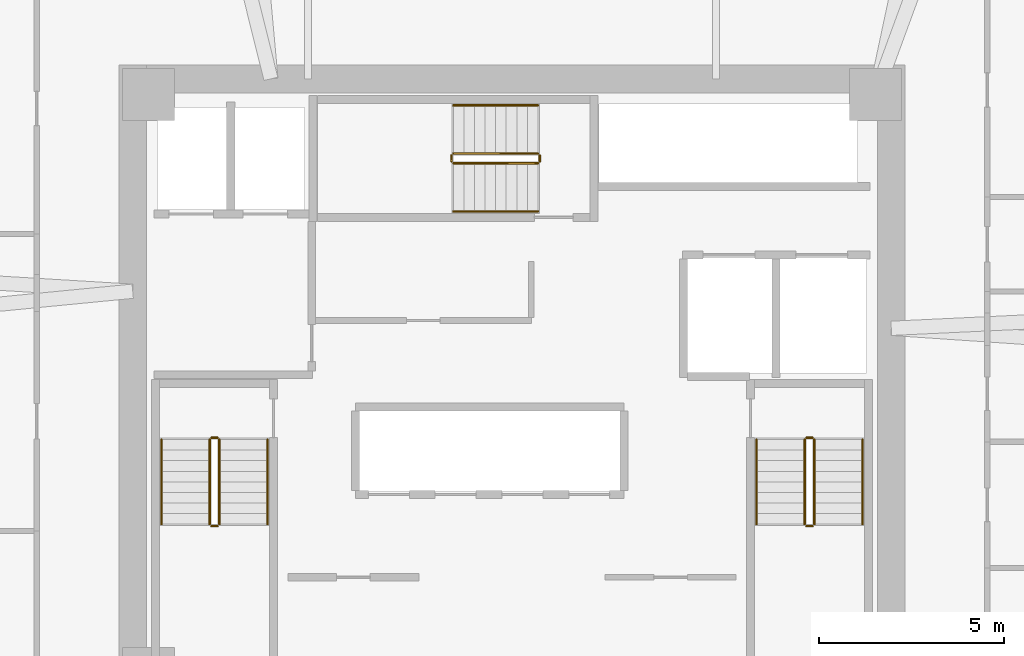
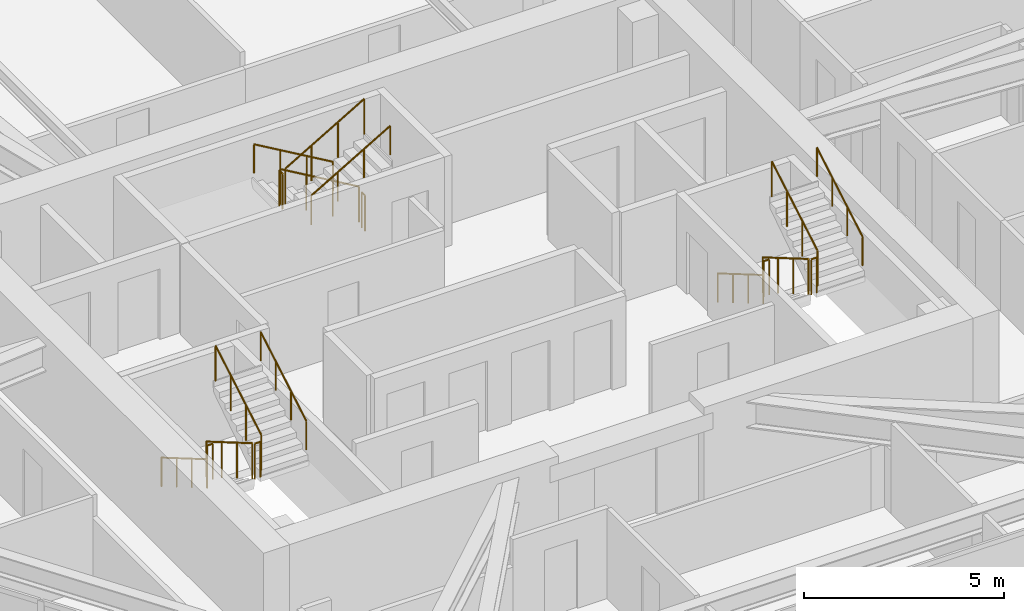
# One storey, part 14 of 14: 18 railings.
"""IFC4 building model written with IfcOpenShell, lengths in metres."""

from ifc_helpers import new_model, si_unit, direction, frame, origin, origin_2d, place, context, subcontext, project, spatial, circle, extrude, material, type_object, element, save


model = new_model("IFC4")

# Units and contexts
model_context = context("Model", 3, precision=1e-05, world=origin(), true_north=direction((0.0, 1.0)))
body_context = subcontext(model_context, "Body", "Model", "MODEL_VIEW")
ifc_project = project(units=[si_unit("LENGTHUNIT", "METRE"), si_unit("AREAUNIT", "SQUARE_METRE"), si_unit("VOLUMEUNIT", "CUBIC_METRE"), si_unit("PLANEANGLEUNIT", "RADIAN"), si_unit("MASSUNIT", "GRAM", prefix="KILO")], contexts=[model_context])

# Site, building, storey
site_placement = place(None, origin())
site = spatial("IfcSite", under=ifc_project, at=site_placement, CompositionType="ELEMENT")
building_placement = place(site_placement, origin())
building = spatial("IfcBuilding", under=site, at=building_placement, Name="Durnholm Broadcast Tower", CompositionType="ELEMENT")
storey_placement = place(building_placement, frame((0.0, 0.0, 140.10009765625)))
storey = spatial("IfcBuildingStorey", under=building, at=storey_placement, Name="L38", CompositionType="ELEMENT", Elevation=140.10009765625)

# Railings
ifc_material_1 = material(Name="Painted Tubular Steel Stair Guardrail", Category="steel")
railing_type_1 = type_object("IfcRailingType", Name="RAIL-ST-GRD", PredefinedType="GUARDRAIL", material=ifc_material_1)
railing_1_placement = place(storey_placement, frame((-8.14990234375, -1.5, 0.16650390625)))
element("IfcRailing", 1, at=railing_1_placement, inside=storey, type_object=railing_type_1, Name="L38 ST-1 stair guard 1", PredefinedType="GUARDRAIL", context=body_context, shape_type="SweptSolid", body=[
    extrude(circle(Radius=0.02392578125, at=origin_2d()), frame((0.0, 0.0, 1.076171875), z_axis=(0.0, -0.863205083432, 0.504853428173), x_axis=(1.0, 0.0, 0.0)), (0.0, 0.0, 1.0), 2.641357421875),
    extrude(circle(Radius=0.02099609375, at=origin_2d()), origin(), (0.0, 0.0, 1.0), 1.052001953125),
    extrude(circle(Radius=0.02099609375, at=origin_2d()), frame((0.0, -0.760009765625, 0.444580078125)), (0.0, 0.0, 1.0), 1.052001953125),
    extrude(circle(Radius=0.02099609375, at=origin_2d()), frame((0.0, -1.52001953125, 0.888916015625)), (0.0, 0.0, 1.0), 1.052001953125),
    extrude(circle(Radius=0.02099609375, at=origin_2d()), frame((0.0, -2.280029296875, 1.33349609375)), (0.0, 0.0, 1.0), 1.052001953125),
])
railing_2_placement = place(storey_placement, frame((-8.10009765625, -3.830078125, 1.5)))
element("IfcRailing", 2, at=railing_2_placement, inside=storey, type_object=railing_type_1, Name="L38 ST-1 stair guard 2", PredefinedType="GUARDRAIL", context=body_context, shape_type="SweptSolid", body=[
    extrude(circle(Radius=0.02392578125, at=origin_2d()), frame((0.0, 0.0, 1.076171875), z_axis=(1.0, 0.0, 0.0), x_axis=(0.0, 1.0, 0.0)), (0.0, 0.0, 1.0), 0.16015625),
    extrude(circle(Radius=0.02099609375, at=origin_2d()), origin(), (0.0, 0.0, 1.0), 1.052001953125),
    extrude(circle(Radius=0.02099609375, at=origin_2d()), frame((0.16015625, 0.0, 0.0)), (0.0, 0.0, 1.0), 1.052001953125),
])
railing_3_placement = place(storey_placement, frame((-7.889892578125, -3.780029296875, 1.66650390625)))
element("IfcRailing", 3, at=railing_3_placement, inside=storey, type_object=railing_type_1, Name="L38 ST-1 stair guard 3", PredefinedType="GUARDRAIL", context=body_context, shape_type="SweptSolid", body=[
    extrude(circle(Radius=0.02392578125, at=origin_2d()), frame((0.0, 0.0, 1.076171875), z_axis=(0.0, 0.863205083432, 0.504853428173), x_axis=(-1.0, 0.0, 0.0)), (0.0, 0.0, 1.0), 2.641357421875),
    extrude(circle(Radius=0.02099609375, at=origin_2d()), origin(), (0.0, 0.0, 1.0), 1.052001953125),
    extrude(circle(Radius=0.02099609375, at=origin_2d()), frame((0.0, 0.760009765625, 0.444580078125)), (0.0, 0.0, 1.0), 1.052001953125),
    extrude(circle(Radius=0.02099609375, at=origin_2d()), frame((0.0, 1.52001953125, 0.888916015625)), (0.0, 0.0, 1.0), 1.052001953125),
    extrude(circle(Radius=0.02099609375, at=origin_2d()), frame((0.0, 2.280029296875, 1.33349609375)), (0.0, 0.0, 1.0), 1.052001953125),
])
railing_4_placement = place(storey_placement, frame((-8.10009765625, -1.449951171875, 0.0)))
element("IfcRailing", 4, at=railing_4_placement, inside=storey, type_object=railing_type_1, Name="L38 ST-1 stair guard 4", PredefinedType="GUARDRAIL", context=body_context, shape_type="SweptSolid", body=[
    extrude(circle(Radius=0.02392578125, at=origin_2d()), frame((0.0, 0.0, 1.076171875), z_axis=(1.0, 0.0, 0.0), x_axis=(0.0, 1.0, 0.0)), (0.0, 0.0, 1.0), 0.16015625),
    extrude(circle(Radius=0.02099609375, at=origin_2d()), origin(), (0.0, 0.0, 1.0), 1.052001953125),
    extrude(circle(Radius=0.02099609375, at=origin_2d()), frame((0.16015625, 0.0, 0.0)), (0.0, 0.0, 1.0), 1.052001953125),
])
railing_5_placement = place(storey_placement, frame((7.889892578125, -1.5, 0.16650390625)))
element("IfcRailing", 5, at=railing_5_placement, inside=storey, type_object=railing_type_1, Name="L38 ST-2 stair guard 1", PredefinedType="GUARDRAIL", context=body_context, shape_type="SweptSolid", body=[
    extrude(circle(Radius=0.02392578125, at=origin_2d()), frame((0.0, 0.0, 1.076171875), z_axis=(0.0, -0.863205083432, 0.504853428173), x_axis=(1.0, 0.0, 0.0)), (0.0, 0.0, 1.0), 2.641357421875),
    extrude(circle(Radius=0.02099609375, at=origin_2d()), origin(), (0.0, 0.0, 1.0), 1.052001953125),
    extrude(circle(Radius=0.02099609375, at=origin_2d()), frame((0.0, -0.760009765625, 0.444580078125)), (0.0, 0.0, 1.0), 1.052001953125),
    extrude(circle(Radius=0.02099609375, at=origin_2d()), frame((0.0, -1.52001953125, 0.888916015625)), (0.0, 0.0, 1.0), 1.052001953125),
    extrude(circle(Radius=0.02099609375, at=origin_2d()), frame((0.0, -2.280029296875, 1.33349609375)), (0.0, 0.0, 1.0), 1.052001953125),
])
railing_6_placement = place(storey_placement, frame((7.93994140625, -3.830078125, 1.5)))
element("IfcRailing", 6, at=railing_6_placement, inside=storey, type_object=railing_type_1, Name="L38 ST-2 stair guard 2", PredefinedType="GUARDRAIL", context=body_context, shape_type="SweptSolid", body=[
    extrude(circle(Radius=0.02392578125, at=origin_2d()), frame((0.0, 0.0, 1.076171875), z_axis=(1.0, 0.0, 0.0), x_axis=(0.0, 1.0, 0.0)), (0.0, 0.0, 1.0), 0.16015625),
    extrude(circle(Radius=0.02099609375, at=origin_2d()), origin(), (0.0, 0.0, 1.0), 1.052001953125),
    extrude(circle(Radius=0.02099609375, at=origin_2d()), frame((0.16015625, 0.0, 0.0)), (0.0, 0.0, 1.0), 1.052001953125),
])
railing_7_placement = place(storey_placement, frame((8.14990234375, -3.780029296875, 1.66650390625)))
element("IfcRailing", 7, at=railing_7_placement, inside=storey, type_object=railing_type_1, Name="L38 ST-2 stair guard 3", PredefinedType="GUARDRAIL", context=body_context, shape_type="SweptSolid", body=[
    extrude(circle(Radius=0.02392578125, at=origin_2d()), frame((0.0, 0.0, 1.076171875), z_axis=(0.0, 0.863205083432, 0.504853428173), x_axis=(-1.0, 0.0, 0.0)), (0.0, 0.0, 1.0), 2.641357421875),
    extrude(circle(Radius=0.02099609375, at=origin_2d()), origin(), (0.0, 0.0, 1.0), 1.052001953125),
    extrude(circle(Radius=0.02099609375, at=origin_2d()), frame((0.0, 0.760009765625, 0.444580078125)), (0.0, 0.0, 1.0), 1.052001953125),
    extrude(circle(Radius=0.02099609375, at=origin_2d()), frame((0.0, 1.52001953125, 0.888916015625)), (0.0, 0.0, 1.0), 1.052001953125),
    extrude(circle(Radius=0.02099609375, at=origin_2d()), frame((0.0, 2.280029296875, 1.33349609375)), (0.0, 0.0, 1.0), 1.052001953125),
])
railing_8_placement = place(storey_placement, frame((7.93994140625, -1.449951171875, 0.0)))
element("IfcRailing", 8, at=railing_8_placement, inside=storey, type_object=railing_type_1, Name="L38 ST-2 stair guard 4", PredefinedType="GUARDRAIL", context=body_context, shape_type="SweptSolid", body=[
    extrude(circle(Radius=0.02392578125, at=origin_2d()), frame((0.0, 0.0, 1.076171875), z_axis=(1.0, 0.0, 0.0), x_axis=(0.0, 1.0, 0.0)), (0.0, 0.0, 1.0), 0.16015625),
    extrude(circle(Radius=0.02099609375, at=origin_2d()), origin(), (0.0, 0.0, 1.0), 1.052001953125),
    extrude(circle(Radius=0.02099609375, at=origin_2d()), frame((0.16015625, 0.0, 0.0)), (0.0, 0.0, 1.0), 1.052001953125),
])
railing_9_placement = place(storey_placement, frame((0.699951171875, 6.2099609375, 0.16650390625)))
element("IfcRailing", 9, at=railing_9_placement, inside=storey, type_object=railing_type_1, Name="L38 ST-3 stair guard 1", PredefinedType="GUARDRAIL", context=body_context, shape_type="SweptSolid", body=[
    extrude(circle(Radius=0.02392578125, at=origin_2d()), frame((0.0, 0.0, 1.076171875), z_axis=(-0.863205083432, 0.0, 0.504853428173), x_axis=(0.0, -1.0, 0.0)), (0.0, 0.0, 1.0), 2.641357421875),
    extrude(circle(Radius=0.02099609375, at=origin_2d()), origin(), (0.0, 0.0, 1.0), 1.052001953125),
    extrude(circle(Radius=0.02099609375, at=origin_2d()), frame((-0.760009765625, 0.0, 0.444580078125)), (0.0, 0.0, 1.0), 1.052001953125),
    extrude(circle(Radius=0.02099609375, at=origin_2d()), frame((-1.52001953125, 0.0, 0.888916015625)), (0.0, 0.0, 1.0), 1.052001953125),
    extrude(circle(Radius=0.02099609375, at=origin_2d()), frame((-2.280029296875, 0.0, 1.33349609375)), (0.0, 0.0, 1.0), 1.052001953125),
])
railing_10_placement = place(storey_placement, frame((-1.6298828125, 6.159912109375, 1.5)))
element("IfcRailing", 10, at=railing_10_placement, inside=storey, type_object=railing_type_1, Name="L38 ST-3 stair guard 2", PredefinedType="GUARDRAIL", context=body_context, shape_type="SweptSolid", body=[
    extrude(circle(Radius=0.02392578125, at=origin_2d()), frame((0.0, 0.0, 1.076171875), z_axis=(0.0, -1.0, 0.0), x_axis=(1.0, 0.0, 0.0)), (0.0, 0.0, 1.0), 0.159912109375),
    extrude(circle(Radius=0.02099609375, at=origin_2d()), origin(), (0.0, 0.0, 1.0), 1.052001953125),
    extrude(circle(Radius=0.02099609375, at=origin_2d()), frame((0.0, -0.159912109375, 0.0)), (0.0, 0.0, 1.0), 1.052001953125),
])
railing_11_placement = place(storey_placement, frame((-1.580078125, 5.949951171875, 1.66650390625)))
element("IfcRailing", 11, at=railing_11_placement, inside=storey, type_object=railing_type_1, Name="L38 ST-3 stair guard 3", PredefinedType="GUARDRAIL", context=body_context, shape_type="SweptSolid", body=[
    extrude(circle(Radius=0.02392578125, at=origin_2d()), frame((0.0, 0.0, 1.076171875), z_axis=(0.863205083432, 0.0, 0.504853428173), x_axis=(0.0, 1.0, 0.0)), (0.0, 0.0, 1.0), 2.641357421875),
    extrude(circle(Radius=0.02099609375, at=origin_2d()), origin(), (0.0, 0.0, 1.0), 1.052001953125),
    extrude(circle(Radius=0.02099609375, at=origin_2d()), frame((0.760009765625, 0.0, 0.444580078125)), (0.0, 0.0, 1.0), 1.052001953125),
    extrude(circle(Radius=0.02099609375, at=origin_2d()), frame((1.52001953125, 0.0, 0.888916015625)), (0.0, 0.0, 1.0), 1.052001953125),
    extrude(circle(Radius=0.02099609375, at=origin_2d()), frame((2.280029296875, 0.0, 1.33349609375)), (0.0, 0.0, 1.0), 1.052001953125),
])
railing_12_placement = place(storey_placement, frame((0.75, 6.159912109375, 0.0)))
element("IfcRailing", 12, at=railing_12_placement, inside=storey, type_object=railing_type_1, Name="L38 ST-3 stair guard 4", PredefinedType="GUARDRAIL", context=body_context, shape_type="SweptSolid", body=[
    extrude(circle(Radius=0.02392578125, at=origin_2d()), frame((0.0, 0.0, 1.076171875), z_axis=(0.0, -1.0, 0.0), x_axis=(1.0, 0.0, 0.0)), (0.0, 0.0, 1.0), 0.159912109375),
    extrude(circle(Radius=0.02099609375, at=origin_2d()), origin(), (0.0, 0.0, 1.0), 1.052001953125),
    extrude(circle(Radius=0.02099609375, at=origin_2d()), frame((0.0, -0.159912109375, 0.0)), (0.0, 0.0, 1.0), 1.052001953125),
])
ifc_material_2 = material(Name="Brushed Stainless Steel Handrail", Category="steel")
railing_type_2 = type_object("IfcRailingType", Name="RAIL-ST-HND", PredefinedType="HANDRAIL", material=ifc_material_2)
railing_13_placement = place(storey_placement, frame((-9.449951171875, -1.5, 0.333251953125)))
element("IfcRailing", 13, at=railing_13_placement, inside=storey, type_object=railing_type_2, Name="L38 ST-1 stair handrail 1", PredefinedType="HANDRAIL", context=body_context, shape_type="SweptSolid", body=[
    extrude(circle(Radius=0.02392578125, at=origin_2d()), frame((0.0, 0.0, 0.8759765625), z_axis=(0.0, -0.863245362884, 0.504784551527), x_axis=(1.0, 0.0, 0.0)), (0.0, 0.0, 1.0), 2.64111328125),
    extrude(circle(Radius=0.02099609375, at=origin_2d()), origin(), (0.0, 0.0, 1.0), 0.851806640625),
    extrude(circle(Radius=0.02099609375, at=origin_2d()), frame((0.0, -0.760009765625, 0.4443359375)), (0.0, 0.0, 1.0), 0.851806640625),
    extrude(circle(Radius=0.02099609375, at=origin_2d()), frame((0.0, -1.52001953125, 0.888916015625)), (0.0, 0.0, 1.0), 0.851806640625),
    extrude(circle(Radius=0.02099609375, at=origin_2d()), frame((0.0, -2.280029296875, 1.333251953125)), (0.0, 0.0, 1.0), 0.851806640625),
])
railing_14_placement = place(storey_placement, frame((-6.590087890625, -3.780029296875, 1.833251953125)))
element("IfcRailing", 14, at=railing_14_placement, inside=storey, type_object=railing_type_2, Name="L38 ST-1 stair handrail 2", PredefinedType="HANDRAIL", context=body_context, shape_type="SweptSolid", body=[
    extrude(circle(Radius=0.02392578125, at=origin_2d()), frame((0.0, 0.0, 0.8759765625), z_axis=(0.0, 0.863245362884, 0.504784551527), x_axis=(-1.0, 0.0, 0.0)), (0.0, 0.0, 1.0), 2.64111328125),
    extrude(circle(Radius=0.02099609375, at=origin_2d()), origin(), (0.0, 0.0, 1.0), 0.851806640625),
    extrude(circle(Radius=0.02099609375, at=origin_2d()), frame((0.0, 0.760009765625, 0.4443359375)), (0.0, 0.0, 1.0), 0.851806640625),
    extrude(circle(Radius=0.02099609375, at=origin_2d()), frame((0.0, 1.52001953125, 0.888916015625)), (0.0, 0.0, 1.0), 0.851806640625),
    extrude(circle(Radius=0.02099609375, at=origin_2d()), frame((0.0, 2.280029296875, 1.333251953125)), (0.0, 0.0, 1.0), 0.851806640625),
])
railing_15_placement = place(storey_placement, frame((6.590087890625, -1.5, 0.333251953125)))
element("IfcRailing", 15, at=railing_15_placement, inside=storey, type_object=railing_type_2, Name="L38 ST-2 stair handrail 1", PredefinedType="HANDRAIL", context=body_context, shape_type="SweptSolid", body=[
    extrude(circle(Radius=0.02392578125, at=origin_2d()), frame((0.0, 0.0, 0.8759765625), z_axis=(0.0, -0.863245362884, 0.504784551527), x_axis=(1.0, 0.0, 0.0)), (0.0, 0.0, 1.0), 2.64111328125),
    extrude(circle(Radius=0.02099609375, at=origin_2d()), origin(), (0.0, 0.0, 1.0), 0.851806640625),
    extrude(circle(Radius=0.02099609375, at=origin_2d()), frame((0.0, -0.760009765625, 0.4443359375)), (0.0, 0.0, 1.0), 0.851806640625),
    extrude(circle(Radius=0.02099609375, at=origin_2d()), frame((0.0, -1.52001953125, 0.888916015625)), (0.0, 0.0, 1.0), 0.851806640625),
    extrude(circle(Radius=0.02099609375, at=origin_2d()), frame((0.0, -2.280029296875, 1.333251953125)), (0.0, 0.0, 1.0), 0.851806640625),
])
railing_16_placement = place(storey_placement, frame((9.449951171875, -3.780029296875, 1.833251953125)))
element("IfcRailing", 16, at=railing_16_placement, inside=storey, type_object=railing_type_2, Name="L38 ST-2 stair handrail 2", PredefinedType="HANDRAIL", context=body_context, shape_type="SweptSolid", body=[
    extrude(circle(Radius=0.02392578125, at=origin_2d()), frame((0.0, 0.0, 0.8759765625), z_axis=(0.0, 0.863245362884, 0.504784551527), x_axis=(-1.0, 0.0, 0.0)), (0.0, 0.0, 1.0), 2.64111328125),
    extrude(circle(Radius=0.02099609375, at=origin_2d()), origin(), (0.0, 0.0, 1.0), 0.851806640625),
    extrude(circle(Radius=0.02099609375, at=origin_2d()), frame((0.0, 0.760009765625, 0.4443359375)), (0.0, 0.0, 1.0), 0.851806640625),
    extrude(circle(Radius=0.02099609375, at=origin_2d()), frame((0.0, 1.52001953125, 0.888916015625)), (0.0, 0.0, 1.0), 0.851806640625),
    extrude(circle(Radius=0.02099609375, at=origin_2d()), frame((0.0, 2.280029296875, 1.333251953125)), (0.0, 0.0, 1.0), 0.851806640625),
])
railing_17_placement = place(storey_placement, frame((0.699951171875, 7.510009765625, 0.333251953125)))
element("IfcRailing", 17, at=railing_17_placement, inside=storey, type_object=railing_type_2, Name="L38 ST-3 stair handrail 1", PredefinedType="HANDRAIL", context=body_context, shape_type="SweptSolid", body=[
    extrude(circle(Radius=0.02392578125, at=origin_2d()), frame((0.0, 0.0, 0.8759765625), z_axis=(-0.863245362884, 0.0, 0.504784551527), x_axis=(0.0, -1.0, 0.0)), (0.0, 0.0, 1.0), 2.64111328125),
    extrude(circle(Radius=0.02099609375, at=origin_2d()), origin(), (0.0, 0.0, 1.0), 0.851806640625),
    extrude(circle(Radius=0.02099609375, at=origin_2d()), frame((-0.760009765625, 0.0, 0.4443359375)), (0.0, 0.0, 1.0), 0.851806640625),
    extrude(circle(Radius=0.02099609375, at=origin_2d()), frame((-1.52001953125, 0.0, 0.888916015625)), (0.0, 0.0, 1.0), 0.851806640625),
    extrude(circle(Radius=0.02099609375, at=origin_2d()), frame((-2.280029296875, 0.0, 1.333251953125)), (0.0, 0.0, 1.0), 0.851806640625),
])
railing_18_placement = place(storey_placement, frame((-1.580078125, 4.64990234375, 1.833251953125)))
element("IfcRailing", 18, at=railing_18_placement, inside=storey, type_object=railing_type_2, Name="L38 ST-3 stair handrail 2", PredefinedType="HANDRAIL", context=body_context, shape_type="SweptSolid", body=[
    extrude(circle(Radius=0.02392578125, at=origin_2d()), frame((0.0, 0.0, 0.8759765625), z_axis=(0.863245362884, 0.0, 0.504784551527), x_axis=(0.0, 1.0, 0.0)), (0.0, 0.0, 1.0), 2.64111328125),
    extrude(circle(Radius=0.02099609375, at=origin_2d()), origin(), (0.0, 0.0, 1.0), 0.851806640625),
    extrude(circle(Radius=0.02099609375, at=origin_2d()), frame((0.760009765625, 0.0, 0.4443359375)), (0.0, 0.0, 1.0), 0.851806640625),
    extrude(circle(Radius=0.02099609375, at=origin_2d()), frame((1.52001953125, 0.0, 0.888916015625)), (0.0, 0.0, 1.0), 0.851806640625),
    extrude(circle(Radius=0.02099609375, at=origin_2d()), frame((2.280029296875, 0.0, 1.333251953125)), (0.0, 0.0, 1.0), 0.851806640625),
])

save(model, "model.ifc")
